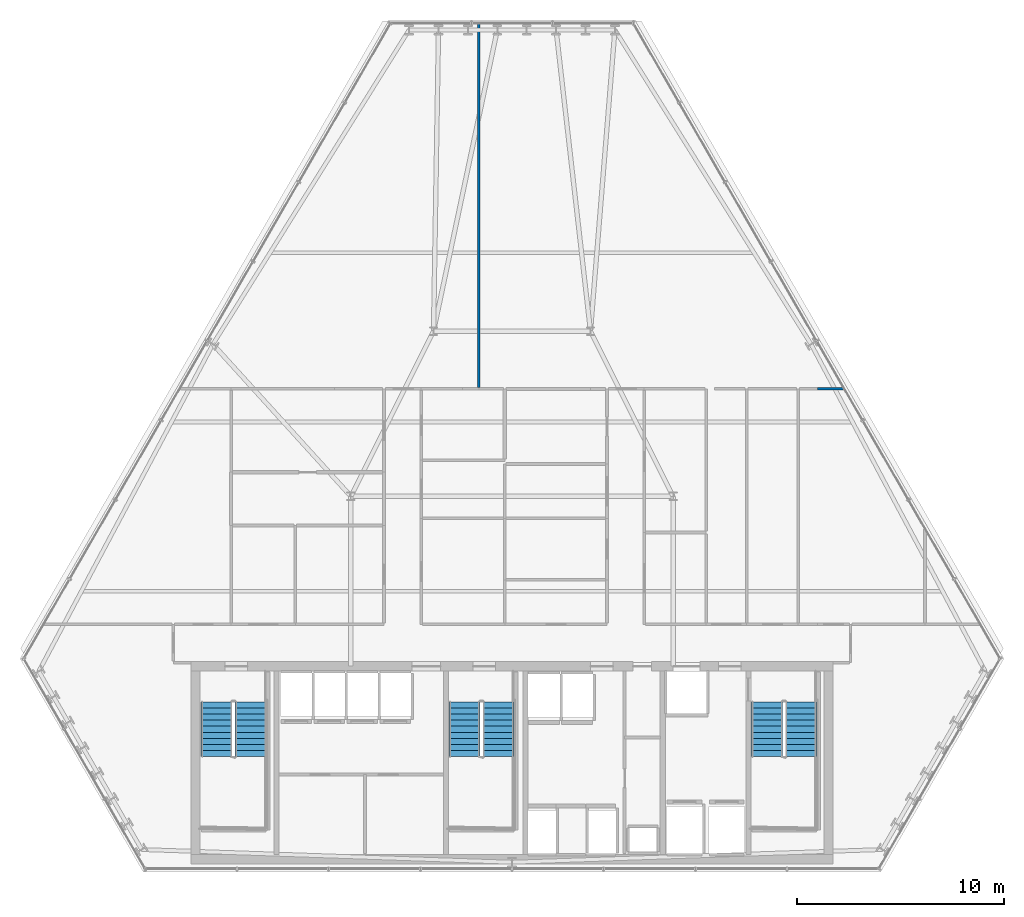
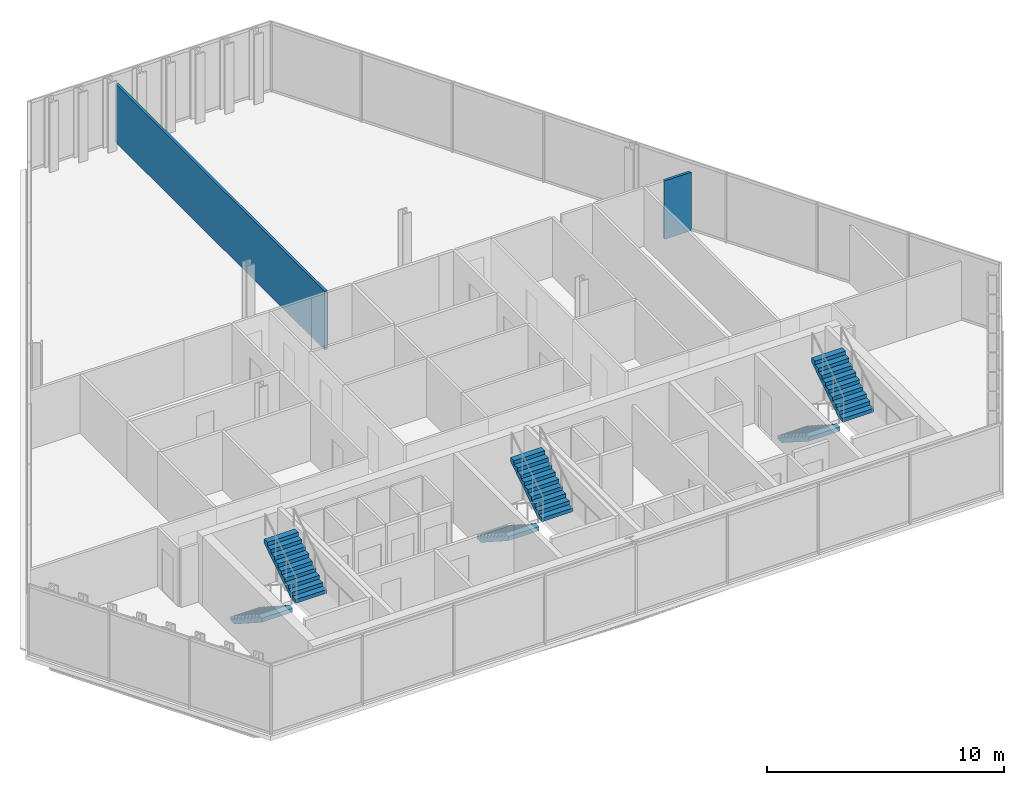
# One storey, part 28 of 31: 6 stair flights, 2 walls, 3 elements without a shape of their own.
"""IFC4 building model written with IfcOpenShell, lengths in metres."""

from ifc_helpers import new_model, si_unit, direction, frame, frame_2d, origin, place, context, subcontext, project, spatial, polyline, rectangle, outline, extrude, material, layer, layer_set, type_object, element, aggregate, save


model = new_model("IFC4")

# Units and contexts
model_context = context("Model", 3, precision=1e-05, world=origin(), true_north=direction((0.0, 1.0)))
body_context = subcontext(model_context, "Body", "Model", "MODEL_VIEW")
ifc_project = project(units=[si_unit("LENGTHUNIT", "METRE"), si_unit("AREAUNIT", "SQUARE_METRE"), si_unit("VOLUMEUNIT", "CUBIC_METRE"), si_unit("PLANEANGLEUNIT", "RADIAN"), si_unit("MASSUNIT", "GRAM", prefix="KILO")], contexts=[model_context])

# Site, building, storey
site_placement = place(None, origin())
site = spatial("IfcSite", under=ifc_project, at=site_placement, CompositionType="ELEMENT")
building_placement = place(site_placement, origin())
building = spatial("IfcBuilding", under=site, at=building_placement, Name="Ndaravel Arena Tower", CompositionType="ELEMENT")
storey_placement = place(building_placement, frame((0.0, 0.0, 138.39990234375)))
storey = spatial("IfcBuildingStorey", under=building, at=storey_placement, Name="L32", CompositionType="ELEMENT", Elevation=138.39990234375)

# Walls
ifc_material_1 = material(Name="Gypsum", Category="gypsum")
ifc_layer = layer(ifc_material_1, 0.125)
ifc_layer_set = layer_set([ifc_layer], Name="Gypsum")
wall_type = type_object("IfcWallType", Name="WALL-PART-125", PredefinedType="PARTITIONING", material=ifc_layer_set)
wall_1_placement = place(storey_placement, frame((56.800048828125, 28.39990234375, 0.0), z_axis=(0.0, 0.0, 1.0), x_axis=(1.0, 0.0, 0.0)))
element("IfcWall", 1, at=wall_1_placement, inside=storey, type_object=wall_type, Name="L32 Interior Partition 046", PredefinedType="PARTITIONING", context=body_context, shape_type="SweptSolid", body=[
    extrude(rectangle(XDim=1.30126953125, YDim=0.125, at=frame_2d((0.650634765625, 0.0))), origin(), (0.0, 0.0, 1.0), 3.010498046875),
])
wall_2_placement = place(storey_placement, frame((40.389892578125, 46.10498046875, 0.0), z_axis=(0.0, 0.0, 1.0), x_axis=(0.0, -1.0, 0.0)))
element("IfcWall", 2, at=wall_2_placement, inside=storey, type_object=wall_type, Name="L32 Interior Partition 067", PredefinedType="PARTITIONING", context=body_context, shape_type="SweptSolid", body=[
    extrude(rectangle(XDim=17.639892578125, YDim=0.125, at=frame_2d((8.81982421875, 0.0))), origin(), (0.0, 0.0, 1.0), 3.010498046875),
])

# Stair, stair flights
ifc_material_2 = material(Name="Concrete C40/50", Category="concrete")
stair_type = type_object("IfcStairType", Name="STAIR-CORE-HT", PredefinedType="HALF_TURN_STAIR", material=ifc_material_2)
stair_1_placement = place(storey_placement, origin())
stair_1 = element("IfcStair", 3, at=stair_1_placement, inside=storey, type_object=stair_type, Name="L32 ST-1", PredefinedType="HALF_TURN_STAIR")
ifc_material_3 = material(Name="Concrete C40/50", Category="concrete")
stair_flight_type = type_object("IfcStairFlightType", Name="SFLIGHT-CORE-1680", PredefinedType="STRAIGHT", material=ifc_material_3)
stair_flight_1_placement = place(storey_placement, frame((27.699951171875, 13.25, 0.0), z_axis=(0.0, 0.0, 1.0), x_axis=(0.0, -1.0, 0.0)))
stair_flight_1 = element("IfcStairFlight", 4, at=stair_flight_1_placement, type_object=stair_flight_type, Name="ST-1 flight 1", NumberOfRisers=10, NumberOfTreads=9, PredefinedType="STRAIGHT", RiserHeight=0.19, TreadLength=0.295, context=body_context, shape_type="SweptSolid", body=[
    extrude(outline(polyline([(0.0, 0.0), (0.0, 0.18994140625), (0.294921875, 0.18994140625), (0.294921875, 0.3798828125), (0.590087890625, 0.3798828125), (0.590087890625, 0.570068359375), (0.885009765625, 0.570068359375), (0.885009765625, 0.760009765625), (1.179931640625, 0.760009765625), (1.179931640625, 0.949951171875), (1.47509765625, 0.949951171875), (1.47509765625, 1.139892578125), (1.77001953125, 1.139892578125), (1.77001953125, 1.330078125), (2.06494140625, 1.330078125), (2.06494140625, 1.52001953125), (2.360107421875, 1.52001953125), (2.360107421875, 1.7099609375), (2.655029296875, 1.7099609375), (2.655029296875, 1.89990234375), (2.655029296875, 1.49609375), (0.332275390625, 0.0), (0.0, 0.0)])), frame((0.0, 0.75, 0.0), z_axis=(0.0, -1.0, 0.0), x_axis=(1.0, 0.0, 0.0)), (0.0, 0.0, 1.0), 1.5),
])
stair_flight_2_placement = place(storey_placement, frame((29.340087890625, 10.594970703125, 1.900146484375), z_axis=(0.0, 0.0, 1.0), x_axis=(0.0, 1.0, 0.0)))
stair_flight_2 = element("IfcStairFlight", 5, at=stair_flight_2_placement, type_object=stair_flight_type, Name="ST-1 flight 2", NumberOfRisers=10, NumberOfTreads=9, PredefinedType="STRAIGHT", RiserHeight=0.19, TreadLength=0.295, context=body_context, shape_type="SweptSolid", body=[
    extrude(outline(polyline([(0.0, 0.0), (0.0, 0.18994140625), (0.294921875, 0.18994140625), (0.294921875, 0.3798828125), (0.590087890625, 0.3798828125), (0.590087890625, 0.570068359375), (0.885009765625, 0.570068359375), (0.885009765625, 0.760009765625), (1.179931640625, 0.760009765625), (1.179931640625, 0.949951171875), (1.47509765625, 0.949951171875), (1.47509765625, 1.139892578125), (1.77001953125, 1.139892578125), (1.77001953125, 1.330078125), (2.06494140625, 1.330078125), (2.06494140625, 1.52001953125), (2.360107421875, 1.52001953125), (2.360107421875, 1.7099609375), (2.655029296875, 1.7099609375), (2.655029296875, 1.89990234375), (2.655029296875, 1.49609375), (0.332275390625, 0.0), (0.0, 0.0)])), frame((0.0, 0.75, 0.0), z_axis=(0.0, -1.0, 0.0), x_axis=(1.0, 0.0, 0.0)), (0.0, 0.0, 1.0), 1.5),
])
aggregate(stair_1, [stair_flight_1, stair_flight_2])

stair_2_placement = place(storey_placement, origin())
stair_2 = element("IfcStair", 6, at=stair_2_placement, inside=storey, type_object=stair_type, Name="L32 ST-2", PredefinedType="HALF_TURN_STAIR")
stair_flight_3_placement = place(storey_placement, frame((39.699951171875, 13.25, 0.0), z_axis=(0.0, 0.0, 1.0), x_axis=(0.0, -1.0, 0.0)))
stair_flight_3 = element("IfcStairFlight", 7, at=stair_flight_3_placement, type_object=stair_flight_type, Name="ST-2 flight 1", NumberOfRisers=10, NumberOfTreads=9, PredefinedType="STRAIGHT", RiserHeight=0.19, TreadLength=0.295, context=body_context, shape_type="SweptSolid", body=[
    extrude(outline(polyline([(0.0, 0.0), (0.0, 0.18994140625), (0.294921875, 0.18994140625), (0.294921875, 0.3798828125), (0.590087890625, 0.3798828125), (0.590087890625, 0.570068359375), (0.885009765625, 0.570068359375), (0.885009765625, 0.760009765625), (1.179931640625, 0.760009765625), (1.179931640625, 0.949951171875), (1.47509765625, 0.949951171875), (1.47509765625, 1.139892578125), (1.77001953125, 1.139892578125), (1.77001953125, 1.330078125), (2.06494140625, 1.330078125), (2.06494140625, 1.52001953125), (2.360107421875, 1.52001953125), (2.360107421875, 1.7099609375), (2.655029296875, 1.7099609375), (2.655029296875, 1.89990234375), (2.655029296875, 1.49609375), (0.332275390625, 0.0), (0.0, 0.0)])), frame((0.0, 0.75, 0.0), z_axis=(0.0, -1.0, 0.0), x_axis=(1.0, 0.0, 0.0)), (0.0, 0.0, 1.0), 1.5),
])
stair_flight_4_placement = place(storey_placement, frame((41.340087890625, 10.594970703125, 1.900146484375), z_axis=(0.0, 0.0, 1.0), x_axis=(0.0, 1.0, 0.0)))
stair_flight_4 = element("IfcStairFlight", 8, at=stair_flight_4_placement, type_object=stair_flight_type, Name="ST-2 flight 2", NumberOfRisers=10, NumberOfTreads=9, PredefinedType="STRAIGHT", RiserHeight=0.19, TreadLength=0.295, context=body_context, shape_type="SweptSolid", body=[
    extrude(outline(polyline([(0.0, 0.0), (0.0, 0.18994140625), (0.294921875, 0.18994140625), (0.294921875, 0.3798828125), (0.590087890625, 0.3798828125), (0.590087890625, 0.570068359375), (0.885009765625, 0.570068359375), (0.885009765625, 0.760009765625), (1.179931640625, 0.760009765625), (1.179931640625, 0.949951171875), (1.47509765625, 0.949951171875), (1.47509765625, 1.139892578125), (1.77001953125, 1.139892578125), (1.77001953125, 1.330078125), (2.06494140625, 1.330078125), (2.06494140625, 1.52001953125), (2.360107421875, 1.52001953125), (2.360107421875, 1.7099609375), (2.655029296875, 1.7099609375), (2.655029296875, 1.89990234375), (2.655029296875, 1.49609375), (0.332275390625, 0.0), (0.0, 0.0)])), frame((0.0, 0.75, 0.0), z_axis=(0.0, -1.0, 0.0), x_axis=(1.0, 0.0, 0.0)), (0.0, 0.0, 1.0), 1.5),
])
aggregate(stair_2, [stair_flight_3, stair_flight_4])

stair_3_placement = place(storey_placement, origin())
stair_3 = element("IfcStair", 9, at=stair_3_placement, inside=storey, type_object=stair_type, Name="L32 ST-3", PredefinedType="HALF_TURN_STAIR")
stair_flight_5_placement = place(storey_placement, frame((54.35009765625, 13.25, 0.0), z_axis=(0.0, 0.0, 1.0), x_axis=(0.0, -1.0, 0.0)))
stair_flight_5 = element("IfcStairFlight", 10, at=stair_flight_5_placement, type_object=stair_flight_type, Name="ST-3 flight 1", NumberOfRisers=10, NumberOfTreads=9, PredefinedType="STRAIGHT", RiserHeight=0.19, TreadLength=0.295, context=body_context, shape_type="SweptSolid", body=[
    extrude(outline(polyline([(0.0, 0.0), (0.0, 0.18994140625), (0.294921875, 0.18994140625), (0.294921875, 0.3798828125), (0.590087890625, 0.3798828125), (0.590087890625, 0.570068359375), (0.885009765625, 0.570068359375), (0.885009765625, 0.760009765625), (1.179931640625, 0.760009765625), (1.179931640625, 0.949951171875), (1.47509765625, 0.949951171875), (1.47509765625, 1.139892578125), (1.77001953125, 1.139892578125), (1.77001953125, 1.330078125), (2.06494140625, 1.330078125), (2.06494140625, 1.52001953125), (2.360107421875, 1.52001953125), (2.360107421875, 1.7099609375), (2.655029296875, 1.7099609375), (2.655029296875, 1.89990234375), (2.655029296875, 1.49609375), (0.332275390625, 0.0), (0.0, 0.0)])), frame((0.0, 0.75, 0.0), z_axis=(0.0, -1.0, 0.0), x_axis=(1.0, 0.0, 0.0)), (0.0, 0.0, 1.0), 1.5),
])
stair_flight_6_placement = place(storey_placement, frame((55.989990234375, 10.594970703125, 1.900146484375), z_axis=(0.0, 0.0, 1.0), x_axis=(0.0, 1.0, 0.0)))
stair_flight_6 = element("IfcStairFlight", 11, at=stair_flight_6_placement, type_object=stair_flight_type, Name="ST-3 flight 2", NumberOfRisers=10, NumberOfTreads=9, PredefinedType="STRAIGHT", RiserHeight=0.19, TreadLength=0.295, context=body_context, shape_type="SweptSolid", body=[
    extrude(outline(polyline([(0.0, 0.0), (0.0, 0.18994140625), (0.294921875, 0.18994140625), (0.294921875, 0.3798828125), (0.590087890625, 0.3798828125), (0.590087890625, 0.570068359375), (0.885009765625, 0.570068359375), (0.885009765625, 0.760009765625), (1.179931640625, 0.760009765625), (1.179931640625, 0.949951171875), (1.47509765625, 0.949951171875), (1.47509765625, 1.139892578125), (1.77001953125, 1.139892578125), (1.77001953125, 1.330078125), (2.06494140625, 1.330078125), (2.06494140625, 1.52001953125), (2.360107421875, 1.52001953125), (2.360107421875, 1.7099609375), (2.655029296875, 1.7099609375), (2.655029296875, 1.89990234375), (2.655029296875, 1.49609375), (0.332275390625, 0.0), (0.0, 0.0)])), frame((0.0, 0.75, 0.0), z_axis=(0.0, -1.0, 0.0), x_axis=(1.0, 0.0, 0.0)), (0.0, 0.0, 1.0), 1.5),
])
aggregate(stair_3, [stair_flight_5, stair_flight_6])

save(model, "model.ifc")
